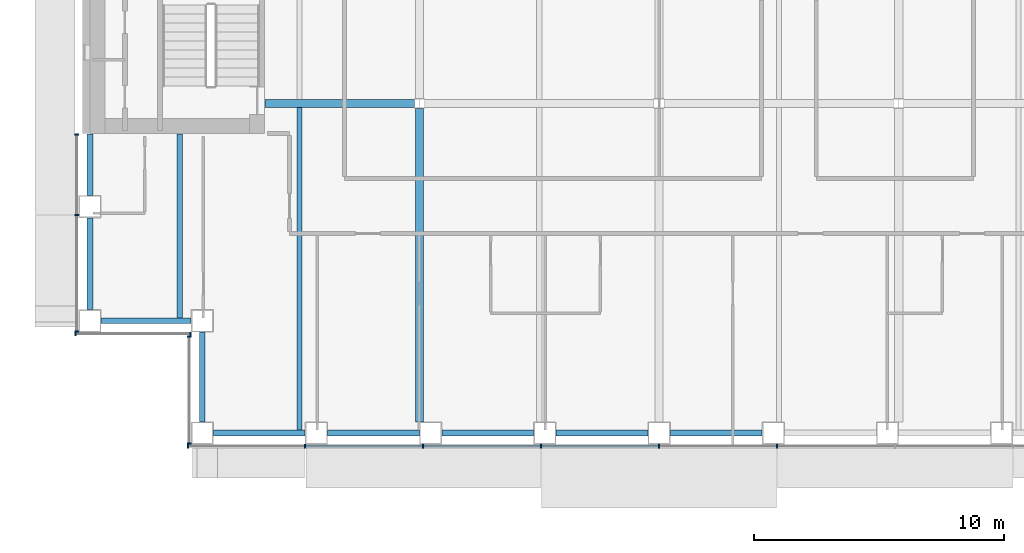
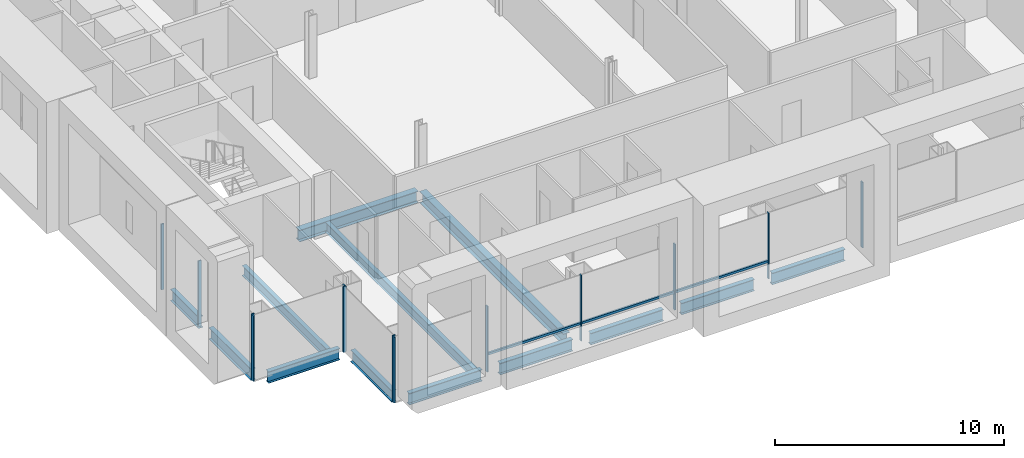
# One storey, part 2 of 20: 16 members, 13 beams, 4 elements without a shape of their own.
"""IFC4 building model written with IfcOpenShell, lengths in metres."""

from ifc_helpers import new_model, si_unit, direction, frame, origin, origin_2d, place, context, subcontext, project, spatial, rectangle, i_section, extrude, material, material_profile, profile_set, type_object, element, aggregate, save


model = new_model("IFC4")

# Units and contexts
model_context = context("Model", 3, precision=1e-05, world=origin(), true_north=direction((0.0, 1.0)))
body_context = subcontext(model_context, "Body", "Model", "MODEL_VIEW")
ifc_project = project(units=[si_unit("LENGTHUNIT", "METRE"), si_unit("AREAUNIT", "SQUARE_METRE"), si_unit("VOLUMEUNIT", "CUBIC_METRE"), si_unit("PLANEANGLEUNIT", "RADIAN"), si_unit("MASSUNIT", "GRAM", prefix="KILO")], contexts=[model_context])

# Site, building, storey
site_placement = place(None, origin())
site = spatial("IfcSite", under=ifc_project, at=site_placement, CompositionType="ELEMENT")
building_placement = place(site_placement, origin())
building = spatial("IfcBuilding", under=site, at=building_placement, Name="Cobrizo Arcos Hotel Tower", CompositionType="ELEMENT")
storey_placement = place(building_placement, frame((0.0, 0.0, 110.0)))
storey = spatial("IfcBuildingStorey", under=building, at=storey_placement, Name="L27", CompositionType="ELEMENT", Elevation=110.0)

# Curtain wall, members
ifc_material_1 = material(Name="Aluminium 6063-T6 anodised bronze", Category="aluminium")
curtain_wall_type = type_object("IfcCurtainWallType", Name="CW-A guest facade", PredefinedType="NOTDEFINED", material=ifc_material_1)
curtain_wall_1_placement = place(storey_placement, origin())
curtain_wall_1 = element("IfcCurtainWall", 1, at=curtain_wall_1_placement, inside=storey, type_object=curtain_wall_type, Name="CW-A L27 S face", PredefinedType="NOTDEFINED")
ifc_material_profile_1 = material_profile(ifc_material_1, rectangle(XDim=0.14990234375, YDim=0.06005859375, at=origin_2d()), Name="CW-A mullion 150x60")
ifc_profile_set_1 = profile_set([ifc_material_profile_1], Name="Aluminium 6063-T6 anodised bronze")
member_type_1 = type_object("IfcMemberType", Name="CW-A mullion 150x60", PredefinedType="MULLION", material=ifc_profile_set_1)
member_1_placement = place(storey_placement, frame((-18.8701171875, -23.324951171875, 0.0), z_axis=(0.0, 0.0, 1.0), x_axis=(0.0, -1.0, 0.0)))
member_1 = element("IfcMember", 2, at=member_1_placement, type_object=member_type_1, Name="CW-A mullion 1", PredefinedType="MULLION", context=body_context, shape_type="SweptSolid", body=[
    extrude(rectangle(XDim=0.14990234375, YDim=0.06005859375, at=origin_2d()), origin(), (0.0, 0.0, 1.0), 3.5),
])
member_2_placement = place(storey_placement, frame((-14.175048828125, -23.324951171875, 0.0), z_axis=(0.0, 0.0, 1.0), x_axis=(0.0, -1.0, 0.0)))
member_2 = element("IfcMember", 3, at=member_2_placement, type_object=member_type_1, Name="CW-A mullion 2", PredefinedType="MULLION", context=body_context, shape_type="SweptSolid", body=[
    extrude(rectangle(XDim=0.14990234375, YDim=0.06005859375, at=origin_2d()), origin(), (0.0, 0.0, 1.0), 3.5),
])
member_3_placement = place(storey_placement, frame((-9.449951171875, -23.324951171875, 0.0), z_axis=(0.0, 0.0, 1.0), x_axis=(0.0, -1.0, 0.0)))
member_3 = element("IfcMember", 4, at=member_3_placement, type_object=member_type_1, Name="CW-A mullion 3", PredefinedType="MULLION", context=body_context, shape_type="SweptSolid", body=[
    extrude(rectangle(XDim=0.14990234375, YDim=0.06005859375, at=origin_2d()), origin(), (0.0, 0.0, 1.0), 3.5),
])
member_4_placement = place(storey_placement, frame((-4.72509765625, -23.324951171875, 0.0), z_axis=(0.0, 0.0, 1.0), x_axis=(0.0, -1.0, 0.0)))
member_4 = element("IfcMember", 5, at=member_4_placement, type_object=member_type_1, Name="CW-A mullion 4", PredefinedType="MULLION", context=body_context, shape_type="SweptSolid", body=[
    extrude(rectangle(XDim=0.14990234375, YDim=0.06005859375, at=origin_2d()), origin(), (0.0, 0.0, 1.0), 3.5),
])
member_5_placement = place(storey_placement, frame((0.0, -23.324951171875, 0.0), z_axis=(0.0, 0.0, 1.0), x_axis=(0.0, -1.0, 0.0)))
member_5 = element("IfcMember", 6, at=member_5_placement, type_object=member_type_1, Name="CW-A mullion 5", PredefinedType="MULLION", context=body_context, shape_type="SweptSolid", body=[
    extrude(rectangle(XDim=0.14990234375, YDim=0.06005859375, at=origin_2d()), origin(), (0.0, 0.0, 1.0), 3.5),
])
member_6_placement = place(storey_placement, frame((4.72509765625, -23.324951171875, 0.0), z_axis=(0.0, 0.0, 1.0), x_axis=(0.0, -1.0, 0.0)))
member_6 = element("IfcMember", 7, at=member_6_placement, type_object=member_type_1, Name="CW-A mullion 6", PredefinedType="MULLION", context=body_context, shape_type="SweptSolid", body=[
    extrude(rectangle(XDim=0.14990234375, YDim=0.06005859375, at=origin_2d()), origin(), (0.0, 0.0, 1.0), 3.5),
])

curtain_wall_2_placement = place(storey_placement, origin())
curtain_wall_2 = element("IfcCurtainWall", 8, at=curtain_wall_2_placement, inside=storey, type_object=curtain_wall_type, Name="CW-A L27 W face", PredefinedType="NOTDEFINED")
member_7_placement = place(storey_placement, frame((-23.324951171875, -10.830078125, 0.0), z_axis=(0.0, 0.0, 1.0), x_axis=(-1.0, 0.0, 0.0)))
member_7 = element("IfcMember", 9, at=member_7_placement, type_object=member_type_1, Name="CW-A mullion 1", PredefinedType="MULLION", context=body_context, shape_type="SweptSolid", body=[
    extrude(rectangle(XDim=0.14990234375, YDim=0.06005859375, at=origin_2d()), origin(), (0.0, 0.0, 1.0), 3.5),
])
member_8_placement = place(storey_placement, frame((-23.324951171875, -14.0625, 0.0), z_axis=(0.0, 0.0, 1.0), x_axis=(-1.0, 0.0, 0.0)))
member_8 = element("IfcMember", 10, at=member_8_placement, type_object=member_type_1, Name="CW-A mullion 2", PredefinedType="MULLION", context=body_context, shape_type="SweptSolid", body=[
    extrude(rectangle(XDim=0.14990234375, YDim=0.06005859375, at=origin_2d()), origin(), (0.0, 0.0, 1.0), 3.5),
])
member_9_placement = place(storey_placement, frame((-23.324951171875, -18.719970703125, 0.0), z_axis=(0.0, 0.0, 1.0), x_axis=(-1.0, 0.0, 0.0)))
member_9 = element("IfcMember", 11, at=member_9_placement, type_object=member_type_1, Name="CW-A mullion 3", PredefinedType="MULLION", context=body_context, shape_type="SweptSolid", body=[
    extrude(rectangle(XDim=0.14990234375, YDim=0.06005859375, at=origin_2d()), origin(), (0.0, 0.0, 1.0), 3.5),
])
aggregate(curtain_wall_2, [member_7, member_8, member_9])

curtain_wall_3_placement = place(storey_placement, origin())
curtain_wall_3 = element("IfcCurtainWall", 12, at=curtain_wall_3_placement, inside=storey, type_object=curtain_wall_type, Name="CW-A L27 S face", PredefinedType="NOTDEFINED")
member_10_placement = place(storey_placement, frame((-23.3701171875, -18.824951171875, 0.0), z_axis=(0.0, 0.0, 1.0), x_axis=(0.0, -1.0, 0.0)))
member_10 = element("IfcMember", 13, at=member_10_placement, type_object=member_type_1, Name="CW-A mullion 1", PredefinedType="MULLION", context=body_context, shape_type="SweptSolid", body=[
    extrude(rectangle(XDim=0.14990234375, YDim=0.06005859375, at=origin_2d()), origin(), (0.0, 0.0, 1.0), 3.5),
])
member_11_placement = place(storey_placement, frame((-18.780029296875, -18.824951171875, 0.0), z_axis=(0.0, 0.0, 1.0), x_axis=(0.0, -1.0, 0.0)))
member_11 = element("IfcMember", 14, at=member_11_placement, type_object=member_type_1, Name="CW-A mullion 2", PredefinedType="MULLION", context=body_context, shape_type="SweptSolid", body=[
    extrude(rectangle(XDim=0.14990234375, YDim=0.06005859375, at=origin_2d()), origin(), (0.0, 0.0, 1.0), 3.5),
])
aggregate(curtain_wall_3, [member_10, member_11])

curtain_wall_4_placement = place(storey_placement, origin())
curtain_wall_4 = element("IfcCurtainWall", 15, at=curtain_wall_4_placement, inside=storey, type_object=curtain_wall_type, Name="CW-A L27 W face", PredefinedType="NOTDEFINED")
member_12_placement = place(storey_placement, frame((-18.824951171875, -18.929931640625, 0.0), z_axis=(0.0, 0.0, 1.0), x_axis=(-1.0, 0.0, 0.0)))
member_12 = element("IfcMember", 16, at=member_12_placement, type_object=member_type_1, Name="CW-A mullion 1", PredefinedType="MULLION", context=body_context, shape_type="SweptSolid", body=[
    extrude(rectangle(XDim=0.14990234375, YDim=0.06005859375, at=origin_2d()), origin(), (0.0, 0.0, 1.0), 3.5),
])
member_13_placement = place(storey_placement, frame((-18.824951171875, -23.219970703125, 0.0), z_axis=(0.0, 0.0, 1.0), x_axis=(-1.0, 0.0, 0.0)))
member_13 = element("IfcMember", 17, at=member_13_placement, type_object=member_type_1, Name="CW-A mullion 2", PredefinedType="MULLION", context=body_context, shape_type="SweptSolid", body=[
    extrude(rectangle(XDim=0.14990234375, YDim=0.06005859375, at=origin_2d()), origin(), (0.0, 0.0, 1.0), 3.5),
])
aggregate(curtain_wall_4, [member_12, member_13])

# Member
ifc_material_profile_2 = material_profile(ifc_material_1, rectangle(XDim=0.10009765625, YDim=0.1201171875, at=origin_2d()), Name="CW-A transom 120x100")
ifc_profile_set_2 = profile_set([ifc_material_profile_2], Name="Aluminium 6063-T6 anodised bronze")
member_type_2 = type_object("IfcMemberType", Name="CW-A transom 120x100", PredefinedType="USERDEFINED", material=ifc_profile_set_2)
member_14_placement = place(storey_placement, frame((-14.14501953125, -23.324951171875, 0.929931640625), z_axis=(1.0, 0.0, 0.0), x_axis=(0.0, 1.0, 0.0)))
member_14 = element("IfcMember", 18, at=member_14_placement, type_object=member_type_2, Name="CW-A transom 1044", ObjectType="TRANSOM", PredefinedType="USERDEFINED", context=body_context, shape_type="SweptSolid", body=[
    extrude(rectangle(XDim=0.10009765625, YDim=0.1201171875, at=origin_2d()), origin(), (0.0, 0.0, 1.0), 4.6650390625),
])

member_15_placement = place(storey_placement, frame((-9.419921875, -23.324951171875, 0.929931640625), z_axis=(1.0, 0.0, 0.0), x_axis=(0.0, 1.0, 0.0)))
member_15 = element("IfcMember", 19, at=member_15_placement, type_object=member_type_2, Name="CW-A transom 1045", ObjectType="TRANSOM", PredefinedType="USERDEFINED", context=body_context, shape_type="SweptSolid", body=[
    extrude(rectangle(XDim=0.10009765625, YDim=0.1201171875, at=origin_2d()), origin(), (0.0, 0.0, 1.0), 4.6650390625),
])

member_16_placement = place(storey_placement, frame((-4.695068359375, -23.324951171875, 0.929931640625), z_axis=(1.0, 0.0, 0.0), x_axis=(0.0, 1.0, 0.0)))
member_16 = element("IfcMember", 20, at=member_16_placement, type_object=member_type_2, Name="CW-A transom 1046", ObjectType="TRANSOM", PredefinedType="USERDEFINED", context=body_context, shape_type="SweptSolid", body=[
    extrude(rectangle(XDim=0.10009765625, YDim=0.1201171875, at=origin_2d()), origin(), (0.0, 0.0, 1.0), 4.6650390625),
])

aggregate(curtain_wall_1, [member_1, member_2, member_3, member_4, member_5, member_6, member_14, member_15, member_16])

# Beams
ifc_material_2 = material(Name="Steel ASTM A992 Grade 50", Category="steel")
ifc_material_profile_3 = material_profile(ifc_material_2, i_section(OverallWidth=0.209228515625, OverallDepth=0.533447265625, WebThickness=0.01025390625, FlangeThickness=0.015625, at=origin_2d()), Name="W21X62")
ifc_profile_set_3 = profile_set([ifc_material_profile_3], Name="Steel ASTM A992 Grade 50")
beam_type_1 = type_object("IfcBeamType", Name="W21X62 joist", PredefinedType="JOIST", material=ifc_profile_set_3)
beam_1_placement = place(storey_placement, frame((-19.199951171875, -18.2099609375, -0.416748046875), z_axis=(0.0, 1.0, 0.0), x_axis=(-1.0, 0.0, 0.0)))
element("IfcBeam", 21, at=beam_1_placement, inside=storey, type_object=beam_type_1, Name="Floor joist J1, L27, no. 001", PredefinedType="JOIST", context=body_context, shape_type="SweptSolid", body=[
    extrude(i_section(OverallWidth=0.209228515625, OverallDepth=0.533447265625, WebThickness=0.01025390625, FlangeThickness=0.015625, at=origin_2d()), origin(), (0.0, 0.0, 1.0), 7.39990234375),
])
beam_2_placement = place(storey_placement, frame((-14.39990234375, -22.7099609375, -0.416748046875), z_axis=(0.0, 1.0, 0.0), x_axis=(-1.0, 0.0, 0.0)))
element("IfcBeam", 22, at=beam_2_placement, inside=storey, type_object=beam_type_1, Name="Floor joist J1, L27, no. 003", PredefinedType="JOIST", context=body_context, shape_type="SweptSolid", body=[
    extrude(i_section(OverallWidth=0.209228515625, OverallDepth=0.533447265625, WebThickness=0.01025390625, FlangeThickness=0.015625, at=origin_2d()), origin(), (0.0, 0.0, 1.0), 12.946044921875),
])
ifc_material_profile_4 = material_profile(ifc_material_2, i_section(OverallWidth=0.32763671875, OverallDepth=0.622314453125, WebThickness=0.015380859375, FlangeThickness=0.0244140625, at=origin_2d()), Name="W24X131")
ifc_profile_set_4 = profile_set([ifc_material_profile_4], Name="Steel ASTM A992 Grade 50")
beam_type_2 = type_object("IfcBeamType", Name="W24X131 girder", PredefinedType="BEAM", material=ifc_profile_set_4)
beam_3_placement = place(storey_placement, frame((-15.7900390625, -9.60009765625, -0.461181640625), z_axis=(1.0, 0.0, 0.0), x_axis=(0.0, 1.0, 0.0)))
element("IfcBeam", 23, at=beam_3_placement, inside=storey, type_object=beam_type_2, Name="Floor girder G1, L27, no. 001", PredefinedType="BEAM", context=body_context, shape_type="SweptSolid", body=[
    extrude(i_section(OverallWidth=0.32763671875, OverallDepth=0.622314453125, WebThickness=0.015380859375, FlangeThickness=0.0244140625, at=origin_2d()), origin(), (0.0, 0.0, 1.0), 5.99072265625),
])
beam_4_placement = place(storey_placement, frame((-9.60009765625, -22.35009765625, -0.461181640625), z_axis=(0.0, 1.0, 0.0), x_axis=(-1.0, 0.0, 0.0)))
element("IfcBeam", 24, at=beam_4_placement, inside=storey, type_object=beam_type_2, Name="Floor girder G1, L27, no. 013", PredefinedType="BEAM", context=body_context, shape_type="SweptSolid", body=[
    extrude(i_section(OverallWidth=0.32763671875, OverallDepth=0.622314453125, WebThickness=0.015380859375, FlangeThickness=0.0244140625, at=origin_2d()), origin(), (0.0, 0.0, 1.0), 12.55078125),
])
ifc_material_profile_5 = material_profile(ifc_material_2, i_section(OverallWidth=0.23046875, OverallDepth=0.6171875, WebThickness=0.01318359375, FlangeThickness=0.022216796875, at=origin_2d()), Name="W24X94")
ifc_profile_set_5 = profile_set([ifc_material_profile_5], Name="Steel ASTM A992 Grade 50")
beam_type_3 = type_object("IfcBeamType", Name="W24X94 spandrel", PredefinedType="SPANDREL", material=ifc_profile_set_5)
beam_5_placement = place(storey_placement, frame((-17.85009765625, -22.800048828125, -0.45849609375), z_axis=(1.0, 0.0, 0.0), x_axis=(0.0, 1.0, 0.0)))
element("IfcBeam", 25, at=beam_5_placement, inside=storey, type_object=beam_type_3, Name="Spandrel beam W24X94, L27, no. 001", PredefinedType="SPANDREL", context=body_context, shape_type="SweptSolid", body=[
    extrude(i_section(OverallWidth=0.23046875, OverallDepth=0.6171875, WebThickness=0.01318359375, FlangeThickness=0.022216796875, at=origin_2d()), origin(), (0.0, 0.0, 1.0), 3.675048828125),
])
beam_6_placement = place(storey_placement, frame((-13.27490234375, -22.800048828125, -0.45849609375), z_axis=(1.0, 0.0, 0.0), x_axis=(0.0, 1.0, 0.0)))
element("IfcBeam", 26, at=beam_6_placement, inside=storey, type_object=beam_type_3, Name="Spandrel beam W24X94, L27, no. 002", PredefinedType="SPANDREL", context=body_context, shape_type="SweptSolid", body=[
    extrude(i_section(OverallWidth=0.23046875, OverallDepth=0.6171875, WebThickness=0.01318359375, FlangeThickness=0.022216796875, at=origin_2d()), origin(), (0.0, 0.0, 1.0), 3.6748046875),
])
for number, where, z_axis, x_axis, name in (
    (27, (-8.699951171875, -22.800048828125, -0.45849609375), (1.0, 0.0, 0.0), (0.0, 1.0, 0.0), "Spandrel beam W24X94, L27, no. 003"),
    (28, (-4.125, -22.800048828125, -0.45849609375), (1.0, 0.0, 0.0), (0.0, 1.0, 0.0), "Spandrel beam W24X94, L27, no. 004"),
    (29, (0.449951171875, -22.800048828125, -0.45849609375), (1.0, 0.0, 0.0), (0.0, 1.0, 0.0), "Spandrel beam W24X94, L27, no. 005"),
):
    element("IfcBeam", number, at=place(storey_placement, frame(where, z_axis=z_axis, x_axis=x_axis)), inside=storey, type_object=beam_type_3, Name=name, PredefinedType="SPANDREL", context=body_context, shape_type="SweptSolid", body=[
        extrude(i_section(OverallWidth=0.23046875, OverallDepth=0.6171875, WebThickness=0.01318359375, FlangeThickness=0.022216796875, at=origin_2d()), origin(), (0.0, 0.0, 1.0), 3.675048828125),
    ])
beam_7_placement = place(storey_placement, frame((-22.800048828125, -10.81005859375, -0.45849609375), z_axis=(0.0, -1.0, 0.0), x_axis=(1.0, 0.0, 0.0)))
element("IfcBeam", 30, at=beam_7_placement, inside=storey, type_object=beam_type_3, Name="Spandrel beam W24X94, L27, no. 029", PredefinedType="SPANDREL", context=body_context, shape_type="SweptSolid", body=[
    extrude(i_section(OverallWidth=0.23046875, OverallDepth=0.6171875, WebThickness=0.01318359375, FlangeThickness=0.022216796875, at=origin_2d()), origin(), (0.0, 0.0, 1.0), 2.46484375),
])
beam_8_placement = place(storey_placement, frame((-22.800048828125, -14.175048828125, -0.45849609375), z_axis=(0.0, -1.0, 0.0), x_axis=(1.0, 0.0, 0.0)))
element("IfcBeam", 31, at=beam_8_placement, inside=storey, type_object=beam_type_3, Name="Spandrel beam W24X94, L27, no. 030", PredefinedType="SPANDREL", context=body_context, shape_type="SweptSolid", body=[
    extrude(i_section(OverallWidth=0.23046875, OverallDepth=0.6171875, WebThickness=0.01318359375, FlangeThickness=0.022216796875, at=origin_2d()), origin(), (0.0, 0.0, 1.0), 3.675048828125),
])
for number, where, z_axis, x_axis, name in (
    (32, (-22.35009765625, -18.300048828125, -0.45849609375), (1.0, 0.0, 0.0), (0.0, 1.0, 0.0), "Spandrel beam W24X94, L27, no. 031"),
    (33, (-18.300048828125, -18.75, -0.45849609375), (0.0, -1.0, 0.0), (1.0, 0.0, 0.0), "Spandrel beam W24X94, L27, no. 032"),
):
    element("IfcBeam", number, at=place(storey_placement, frame(where, z_axis=z_axis, x_axis=x_axis)), inside=storey, type_object=beam_type_3, Name=name, PredefinedType="SPANDREL", context=body_context, shape_type="SweptSolid", body=[
        extrude(i_section(OverallWidth=0.23046875, OverallDepth=0.6171875, WebThickness=0.01318359375, FlangeThickness=0.022216796875, at=origin_2d()), origin(), (0.0, 0.0, 1.0), 3.60009765625),
    ])

save(model, "model.ifc")
